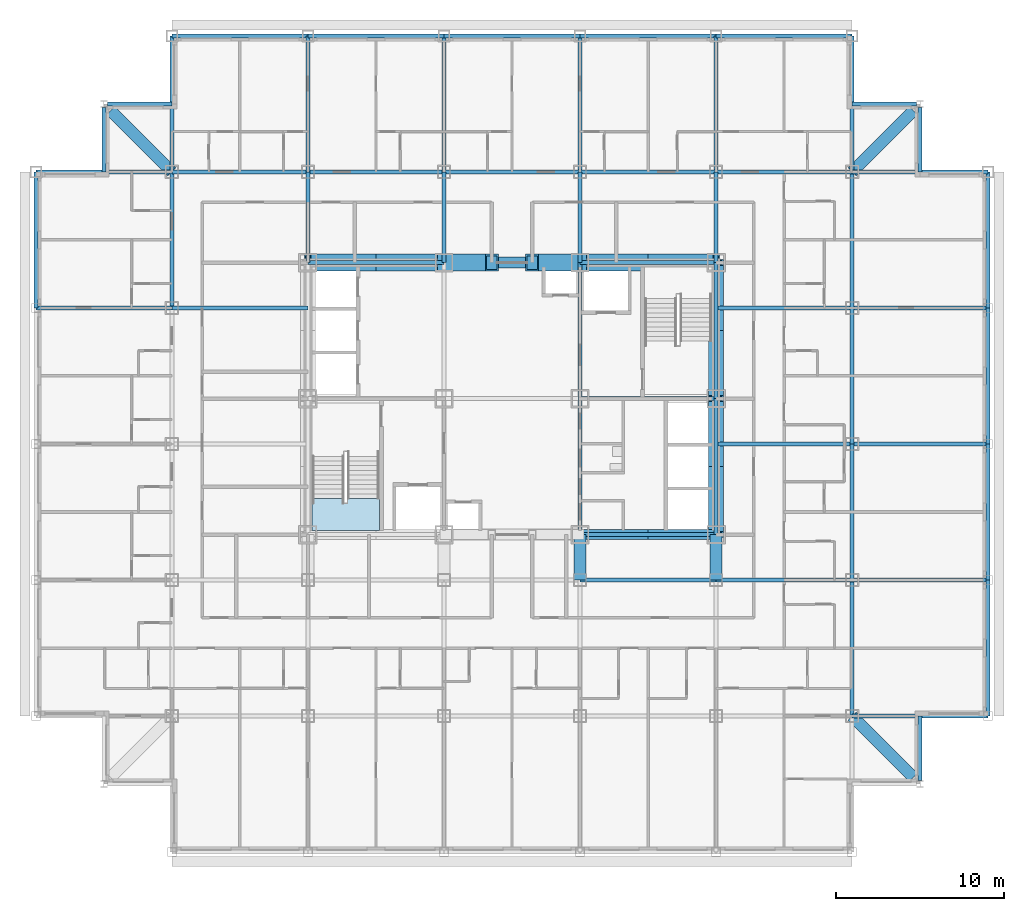
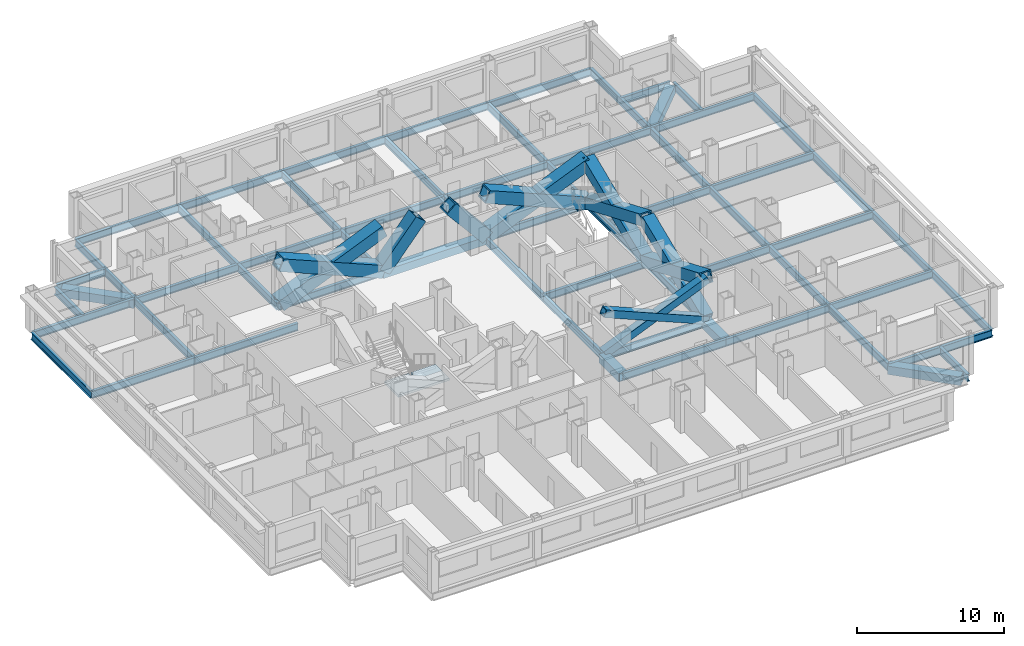
# One storey, part 2 of 15: 61 beams, 12 members, 1 slab, 1 element without a shape of its own.
"""IFC4 building model written with IfcOpenShell, lengths in metres."""

from ifc_helpers import new_model, si_unit, direction, frame, origin, origin_2d, place, context, subcontext, project, spatial, polyline, hollow_rectangle, i_section, outline, extrude, material, layer, layer_set, material_profile, profile_set, type_object, element, aggregate, save


model = new_model("IFC4")

# Units and contexts
model_context = context("Model", 3, precision=1e-05, world=origin(), true_north=direction((0.0, 1.0)))
body_context = subcontext(model_context, "Body", "Model", "MODEL_VIEW")
ifc_project = project(units=[si_unit("LENGTHUNIT", "METRE"), si_unit("AREAUNIT", "SQUARE_METRE"), si_unit("VOLUMEUNIT", "CUBIC_METRE"), si_unit("PLANEANGLEUNIT", "RADIAN"), si_unit("MASSUNIT", "GRAM", prefix="KILO")], contexts=[model_context])

# Site, building, storey
site_placement = place(None, origin())
site = spatial("IfcSite", under=ifc_project, at=site_placement, CompositionType="ELEMENT")
building_placement = place(site_placement, origin())
building = spatial("IfcBuilding", under=site, at=building_placement, Name="Kopane Lantern Tower", CompositionType="ELEMENT")
storey_placement = place(building_placement, frame((0.0, 0.0, 140.800048828125)))
storey = spatial("IfcBuildingStorey", under=building, at=storey_placement, Name="L36", CompositionType="ELEMENT", Elevation=140.800048828125)

# Members
ifc_material_1 = material(Name="Steel S355JR", Category="steel")
ifc_material_profile_1 = material_profile(ifc_material_1, hollow_rectangle(XDim=1.0, YDim=1.0, WallThickness=0.10009765625, at=origin_2d()), Name="BOX 1000x1000x100")
ifc_profile_set_1 = profile_set([ifc_material_profile_1], Name="Steel S355JR")
member_type_1 = type_object("IfcMemberType", Name="BRACE BOX 1000x1000x100", PredefinedType="BRACE", material=ifc_profile_set_1)
for number, where, z_axis, x_axis, name in (
    (1, (16.199951171875, 40.5, -0.2099609375), (0.922069000757, 0.0, 0.387025526088), (0.0, 1.0, 0.0), "Core brace L36"),
    (2, (24.300048828125, 40.5, -0.2099609375), (-0.922069000757, 0.0, 0.387025526088), (0.0, -1.0, 0.0), "Core brace L36"),
):
    element("IfcMember", number, at=place(storey_placement, frame(where, z_axis=z_axis, x_axis=x_axis)), inside=storey, type_object=member_type_1, Name=name, PredefinedType="BRACE", context=body_context, shape_type="SweptSolid", body=[
        extrude(hollow_rectangle(XDim=1.0, YDim=1.0, WallThickness=0.10009765625, at=origin_2d()), origin(), (0.0, 0.0, 1.0), 8.78466796875),
    ])
for number, where, z_axis, x_axis, name in (
    (3, (24.300048828125, 40.5, -0.2099609375), (0.642390257445, 0.0, 0.7663776857), (0.0, 1.0, 0.0), "Core brace L36"),
    (4, (32.39990234375, 40.5, -0.2099609375), (-0.642390257445, 0.0, 0.7663776857), (0.0, -1.0, 0.0), "Core brace L36"),
):
    element("IfcMember", number, at=place(storey_placement, frame(where, z_axis=z_axis, x_axis=x_axis)), inside=storey, type_object=member_type_1, Name=name, PredefinedType="BRACE", context=body_context, shape_type="SweptSolid", body=[
        extrude(hollow_rectangle(XDim=1.0, YDim=1.0, WallThickness=0.10009765625, at=origin_2d()), origin(), (0.0, 0.0, 1.0), 4.436279296875),
    ])
for number, where, z_axis, x_axis, name in (
    (5, (32.39990234375, 40.5, -0.2099609375), (0.922069000757, 0.0, 0.387025526088), (0.0, 1.0, 0.0), "Core brace L36"),
    (6, (40.5, 40.5, -0.2099609375), (-0.922069000757, 0.0, 0.387025526088), (0.0, -1.0, 0.0), "Core brace L36"),
):
    element("IfcMember", number, at=place(storey_placement, frame(where, z_axis=z_axis, x_axis=x_axis)), inside=storey, type_object=member_type_1, Name=name, PredefinedType="BRACE", context=body_context, shape_type="SweptSolid", body=[
        extrude(hollow_rectangle(XDim=1.0, YDim=1.0, WallThickness=0.10009765625, at=origin_2d()), origin(), (0.0, 0.0, 1.0), 8.78466796875),
    ])
ifc_material_2 = material(Name="Steel S355JR", Category="steel")
ifc_material_profile_2 = material_profile(ifc_material_2, hollow_rectangle(XDim=0.60009765625, YDim=0.60009765625, WallThickness=0.050048828125, at=origin_2d()), Name="BOX 600x600x50")
ifc_profile_set_2 = profile_set([ifc_material_profile_2], Name="Steel S355JR")
member_type_2 = type_object("IfcMemberType", Name="BRACE BOX 600x600x50", PredefinedType="BRACE", material=ifc_profile_set_2)
for number, where, z_axis, x_axis, name in (
    (7, (32.39990234375, 24.300048828125, -0.2099609375), (0.922069000757, 0.0, 0.387025526088), (0.0, 1.0, 0.0), "Core brace L36"),
    (8, (40.5, 24.300048828125, -0.2099609375), (-0.922069000757, 0.0, 0.387025526088), (0.0, -1.0, 0.0), "Core brace L36"),
):
    element("IfcMember", number, at=place(storey_placement, frame(where, z_axis=z_axis, x_axis=x_axis)), inside=storey, type_object=member_type_2, Name=name, PredefinedType="BRACE", context=body_context, shape_type="SweptSolid", body=[
        extrude(hollow_rectangle(XDim=0.60009765625, YDim=0.60009765625, WallThickness=0.050048828125, at=origin_2d()), origin(), (0.0, 0.0, 1.0), 8.78466796875),
    ])
ifc_material_3 = material(Name="Steel S355JR", Category="steel")
ifc_material_profile_3 = material_profile(ifc_material_3, hollow_rectangle(XDim=0.89990234375, YDim=0.89990234375, WallThickness=0.090087890625, at=origin_2d()), Name="BOX 900x900x90")
ifc_profile_set_3 = profile_set([ifc_material_profile_3], Name="Steel S355JR")
member_type_3 = type_object("IfcMemberType", Name="BRACE BOX 900x900x90", PredefinedType="BRACE", material=ifc_profile_set_3)
for number, where, z_axis, x_axis, name in (
    (9, (40.5, 24.300048828125, -0.2099609375), (0.0, 0.922064837731, 0.38703544414), (-1.0, 0.0, 0.0), "Core brace L36"),
    (10, (40.5, 32.39990234375, -0.2099609375), (0.0, -0.922064837731, 0.38703544414), (1.0, 0.0, 0.0), "Core brace L36"),
):
    element("IfcMember", number, at=place(storey_placement, frame(where, z_axis=z_axis, x_axis=x_axis)), inside=storey, type_object=member_type_3, Name=name, PredefinedType="BRACE", context=body_context, shape_type="SweptSolid", body=[
        extrude(hollow_rectangle(XDim=0.89990234375, YDim=0.89990234375, WallThickness=0.090087890625, at=origin_2d()), origin(), (0.0, 0.0, 1.0), 8.784423828125),
    ])
for number, where, z_axis, x_axis, name in (
    (11, (40.5, 32.39990234375, -0.2099609375), (0.0, 0.922069000757, 0.387025526088), (-1.0, 0.0, 0.0), "Core brace L36"),
    (12, (40.5, 40.5, -0.2099609375), (0.0, -0.922069000757, 0.387025526088), (1.0, 0.0, 0.0), "Core brace L36"),
):
    element("IfcMember", number, at=place(storey_placement, frame(where, z_axis=z_axis, x_axis=x_axis)), inside=storey, type_object=member_type_3, Name=name, PredefinedType="BRACE", context=body_context, shape_type="SweptSolid", body=[
        extrude(hollow_rectangle(XDim=0.89990234375, YDim=0.89990234375, WallThickness=0.090087890625, at=origin_2d()), origin(), (0.0, 0.0, 1.0), 8.78466796875),
    ])

# Beams
ifc_material_4 = material(Name="Steel S355JR", Category="steel")
ifc_material_profile_4 = material_profile(ifc_material_4, i_section(OverallWidth=0.22900390625, OverallDepth=0.6123046875, WebThickness=0.011962890625, FlangeThickness=0.01953125, FilletRadius=0.0126953125, at=origin_2d()), Name="UB 610x229x125")
ifc_profile_set_4 = profile_set([ifc_material_profile_4], Name="Steel S355JR")
beam_type_1 = type_object("IfcBeamType", Name="CORE BEAM UB 610x229x125", PredefinedType="BEAM", material=ifc_profile_set_4)
beam_1_placement = place(storey_placement, frame((32.39990234375, 24.300048828125, -0.51611328125), z_axis=(0.0, 1.0, 0.0), x_axis=(-1.0, 0.0, 0.0)))
element("IfcBeam", 13, at=beam_1_placement, inside=storey, type_object=beam_type_1, Name="Core Beam L36", PredefinedType="BEAM", context=body_context, shape_type="SweptSolid", body=[
    extrude(i_section(OverallWidth=0.22900390625, OverallDepth=0.6123046875, WebThickness=0.011962890625, FlangeThickness=0.01953125, FilletRadius=0.0126953125, at=origin_2d()), origin(), (0.0, 0.0, 1.0), 8.099853515625),
])
for number, where, z_axis, x_axis, name in (
    (14, (32.39990234375, 32.39990234375, -0.51611328125), (0.0, 1.0, 0.0), (-1.0, 0.0, 0.0), "Core Beam L36"),
    (15, (32.39990234375, 32.39990234375, -0.51611328125), (1.0, 0.0, 0.0), (0.0, 1.0, 0.0), "Core Beam L36"),
):
    element("IfcBeam", number, at=place(storey_placement, frame(where, z_axis=z_axis, x_axis=x_axis)), inside=storey, type_object=beam_type_1, Name=name, PredefinedType="BEAM", context=body_context, shape_type="SweptSolid", body=[
        extrude(i_section(OverallWidth=0.22900390625, OverallDepth=0.6123046875, WebThickness=0.011962890625, FlangeThickness=0.01953125, FilletRadius=0.0126953125, at=origin_2d()), origin(), (0.0, 0.0, 1.0), 8.10009765625),
    ])
ifc_material_5 = material(Name="Steel S355JR", Category="steel")
ifc_material_profile_5 = material_profile(ifc_material_5, hollow_rectangle(XDim=0.699951171875, YDim=0.699951171875, WallThickness=0.06005859375, at=origin_2d()), Name="BOX 700x700x60")
ifc_profile_set_5 = profile_set([ifc_material_profile_5], Name="Steel S355JR")
beam_type_2 = type_object("IfcBeamType", Name="CORNER TIE BEAM BOX 700x700x60", PredefinedType="BEAM", material=ifc_profile_set_5)
beam_2_placement = place(storey_placement, frame((4.447509765625, 49.552490234375, -0.56005859375), z_axis=(0.707106781187, -0.707106781187, 0.0), x_axis=(0.707106781187, 0.707106781187, 0.0)))
element("IfcBeam", 16, at=beam_2_placement, inside=storey, type_object=beam_type_2, Name="Corner Tie Beam L36", PredefinedType="BEAM", context=body_context, shape_type="SweptSolid", body=[
    extrude(hollow_rectangle(XDim=0.699951171875, YDim=0.699951171875, WallThickness=0.06005859375, at=origin_2d()), origin(), (0.0, 0.0, 1.0), 5.16552734375),
])
for number, where, z_axis, x_axis, name in (
    (17, (52.25244140625, 9.847412109375, -0.56005859375), (-0.707083148333, 0.70713041325, 0.0), (-0.70713041325, -0.707083148333, 0.0), "Corner Tie Beam L36"),
    (18, (52.25244140625, 49.552490234375, -0.56005859375), (-0.707083148333, -0.70713041325, 0.0), (0.70713041325, -0.707083148333, 0.0), "Corner Tie Beam L36"),
):
    element("IfcBeam", number, at=place(storey_placement, frame(where, z_axis=z_axis, x_axis=x_axis)), inside=storey, type_object=beam_type_2, Name=name, PredefinedType="BEAM", context=body_context, shape_type="SweptSolid", body=[
        extrude(hollow_rectangle(XDim=0.699951171875, YDim=0.699951171875, WallThickness=0.06005859375, at=origin_2d()), origin(), (0.0, 0.0, 1.0), 5.165283203125),
    ])
ifc_material_6 = material(Name="Steel S355JR", Category="steel")
ifc_material_profile_6 = material_profile(ifc_material_6, i_section(OverallWidth=0.22900390625, OverallDepth=0.6123046875, WebThickness=0.011962890625, FlangeThickness=0.01953125, FilletRadius=0.0126953125, at=origin_2d()), Name="UB 610x229x125")
ifc_profile_set_6 = profile_set([ifc_material_profile_6], Name="Steel S355JR")
beam_type_3 = type_object("IfcBeamType", Name="EDGE BEAM UB 610x229x125", PredefinedType="BEAM", material=ifc_profile_set_6)
for number, where, z_axis, x_axis, name in (
    (19, (4.050048828125, 49.74658203125, -0.51611328125), (0.0, -1.0, 0.0), (1.0, 0.0, 0.0), "Edge Beam L36"),
    (20, (4.25341796875, 49.949951171875, -0.51611328125), (1.0, 0.0, 0.0), (0.0, 1.0, 0.0), "Edge Beam L36"),
):
    element("IfcBeam", number, at=place(storey_placement, frame(where, z_axis=z_axis, x_axis=x_axis)), inside=storey, type_object=beam_type_3, Name=name, PredefinedType="BEAM", context=body_context, shape_type="SweptSolid", body=[
        extrude(i_section(OverallWidth=0.22900390625, OverallDepth=0.6123046875, WebThickness=0.011962890625, FlangeThickness=0.01953125, FilletRadius=0.0126953125, at=origin_2d()), origin(), (0.0, 0.0, 1.0), 3.8466796875),
    ])
for number, where, z_axis, x_axis, name in (
    (21, (52.446533203125, 49.949951171875, -0.51611328125), (-1.0, 0.0, 0.0), (0.0, -1.0, 0.0), "Edge Beam L36"),
    (22, (52.64990234375, 9.653564453125, -0.51611328125), (0.0, 1.0, 0.0), (-1.0, 0.0, 0.0), "Edge Beam L36"),
):
    element("IfcBeam", number, at=place(storey_placement, frame(where, z_axis=z_axis, x_axis=x_axis)), inside=storey, type_object=beam_type_3, Name=name, PredefinedType="BEAM", context=body_context, shape_type="SweptSolid", body=[
        extrude(i_section(OverallWidth=0.22900390625, OverallDepth=0.6123046875, WebThickness=0.011962890625, FlangeThickness=0.01953125, FilletRadius=0.0126953125, at=origin_2d()), origin(), (0.0, 0.0, 1.0), 3.846435546875),
    ])
beam_3_placement = place(storey_placement, frame((52.64990234375, 49.74658203125, -0.51611328125), z_axis=(0.0, -1.0, 0.0), x_axis=(1.0, 0.0, 0.0)))
element("IfcBeam", 23, at=beam_3_placement, inside=storey, type_object=beam_type_3, Name="Edge Beam L36", PredefinedType="BEAM", context=body_context, shape_type="SweptSolid", body=[
    extrude(i_section(OverallWidth=0.22900390625, OverallDepth=0.6123046875, WebThickness=0.011962890625, FlangeThickness=0.01953125, FilletRadius=0.0126953125, at=origin_2d()), origin(), (0.0, 0.0, 1.0), 3.8466796875),
])
ifc_material_7 = material(Name="Steel S355JR", Category="steel")
ifc_material_profile_7 = material_profile(ifc_material_7, hollow_rectangle(XDim=0.699951171875, YDim=0.699951171875, WallThickness=0.06005859375, at=origin_2d()), Name="BOX 700x700x60")
ifc_profile_set_7 = profile_set([ifc_material_profile_7], Name="Steel S355JR")
beam_type_4 = type_object("IfcBeamType", Name="GIRDER BOX 700x700x60", PredefinedType="BEAM", material=ifc_profile_set_7)
for number, where, z_axis, x_axis, name in (
    (24, (32.39990234375, 21.60009765625, -0.56005859375), (0.0, 1.0, 0.0), (-1.0, 0.0, 0.0), "Girder L36"),
    (25, (40.5, 21.60009765625, -0.56005859375), (0.0, 1.0, 0.0), (-1.0, 0.0, 0.0), "Girder L36"),
):
    element("IfcBeam", number, at=place(storey_placement, frame(where, z_axis=z_axis, x_axis=x_axis)), inside=storey, type_object=beam_type_4, Name=name, PredefinedType="BEAM", context=body_context, shape_type="SweptSolid", body=[
        extrude(hollow_rectangle(XDim=0.699951171875, YDim=0.699951171875, WallThickness=0.06005859375, at=origin_2d()), origin(), (0.0, 0.0, 1.0), 2.699951171875),
    ])
ifc_material_8 = material(Name="Steel S355JR", Category="steel")
ifc_material_profile_8 = material_profile(ifc_material_8, i_section(OverallWidth=0.22900390625, OverallDepth=0.6123046875, WebThickness=0.011962890625, FlangeThickness=0.01953125, FilletRadius=0.0126953125, at=origin_2d()), Name="UB 610x229x125")
ifc_profile_set_8 = profile_set([ifc_material_profile_8], Name="Steel S355JR")
beam_type_5 = type_object("IfcBeamType", Name="GIRDER UB 610x229x125", PredefinedType="BEAM", material=ifc_profile_set_8)
beam_4_placement = place(storey_placement, frame((0.0, 37.800048828125, -0.51611328125), z_axis=(0.0, 1.0, 0.0), x_axis=(-1.0, 0.0, 0.0)))
element("IfcBeam", 26, at=beam_4_placement, inside=storey, type_object=beam_type_5, Name="Girder L36", PredefinedType="BEAM", context=body_context, shape_type="SweptSolid", body=[
    extrude(i_section(OverallWidth=0.22900390625, OverallDepth=0.6123046875, WebThickness=0.011962890625, FlangeThickness=0.01953125, FilletRadius=0.0126953125, at=origin_2d()), origin(), (0.0, 0.0, 1.0), 8.099853515625),
])
for number, where, z_axis, x_axis, name in (
    (27, (0.0, 37.800048828125, -0.51611328125), (1.0, 0.0, 0.0), (0.0, 1.0, 0.0), "Girder L36"),
    (28, (0.0, 45.89990234375, -0.51611328125), (1.0, 0.0, 0.0), (0.0, 1.0, 0.0), "Girder L36"),
):
    element("IfcBeam", number, at=place(storey_placement, frame(where, z_axis=z_axis, x_axis=x_axis)), inside=storey, type_object=beam_type_5, Name=name, PredefinedType="BEAM", context=body_context, shape_type="SweptSolid", body=[
        extrude(i_section(OverallWidth=0.22900390625, OverallDepth=0.6123046875, WebThickness=0.011962890625, FlangeThickness=0.01953125, FilletRadius=0.0126953125, at=origin_2d()), origin(), (0.0, 0.0, 1.0), 8.10009765625),
    ])
for number, where, z_axis, x_axis, name in (
    (29, (8.10009765625, 37.800048828125, -0.51611328125), (0.0, 1.0, 0.0), (-1.0, 0.0, 0.0), "Girder L36"),
    (30, (8.10009765625, 37.800048828125, -0.51611328125), (1.0, 0.0, 0.0), (0.0, 1.0, 0.0), "Girder L36"),
):
    element("IfcBeam", number, at=place(storey_placement, frame(where, z_axis=z_axis, x_axis=x_axis)), inside=storey, type_object=beam_type_5, Name=name, PredefinedType="BEAM", context=body_context, shape_type="SweptSolid", body=[
        extrude(i_section(OverallWidth=0.22900390625, OverallDepth=0.6123046875, WebThickness=0.011962890625, FlangeThickness=0.01953125, FilletRadius=0.0126953125, at=origin_2d()), origin(), (0.0, 0.0, 1.0), 8.099853515625),
    ])
beam_5_placement = place(storey_placement, frame((8.10009765625, 45.89990234375, -0.51611328125), z_axis=(0.0, 1.0, 0.0), x_axis=(-1.0, 0.0, 0.0)))
element("IfcBeam", 31, at=beam_5_placement, inside=storey, type_object=beam_type_5, Name="Girder L36", PredefinedType="BEAM", context=body_context, shape_type="SweptSolid", body=[
    extrude(i_section(OverallWidth=0.22900390625, OverallDepth=0.6123046875, WebThickness=0.011962890625, FlangeThickness=0.01953125, FilletRadius=0.0126953125, at=origin_2d()), origin(), (0.0, 0.0, 1.0), 8.10009765625),
])
for number, where, z_axis, x_axis, name in (
    (32, (8.10009765625, 45.89990234375, -0.51611328125), (1.0, 0.0, 0.0), (0.0, 1.0, 0.0), "Girder L36"),
    (33, (8.10009765625, 54.0, -0.51611328125), (1.0, 0.0, 0.0), (0.0, 1.0, 0.0), "Girder L36"),
):
    element("IfcBeam", number, at=place(storey_placement, frame(where, z_axis=z_axis, x_axis=x_axis)), inside=storey, type_object=beam_type_5, Name=name, PredefinedType="BEAM", context=body_context, shape_type="SweptSolid", body=[
        extrude(i_section(OverallWidth=0.22900390625, OverallDepth=0.6123046875, WebThickness=0.011962890625, FlangeThickness=0.01953125, FilletRadius=0.0126953125, at=origin_2d()), origin(), (0.0, 0.0, 1.0), 8.099853515625),
    ])
beam_6_placement = place(storey_placement, frame((16.199951171875, 40.5, -0.51611328125), z_axis=(0.0, 1.0, 0.0), x_axis=(-1.0, 0.0, 0.0)))
element("IfcBeam", 34, at=beam_6_placement, inside=storey, type_object=beam_type_5, Name="Girder L36", PredefinedType="BEAM", context=body_context, shape_type="SweptSolid", body=[
    extrude(i_section(OverallWidth=0.22900390625, OverallDepth=0.6123046875, WebThickness=0.011962890625, FlangeThickness=0.01953125, FilletRadius=0.0126953125, at=origin_2d()), origin(), (0.0, 0.0, 1.0), 5.39990234375),
])
for number, where, z_axis, x_axis, name in (
    (35, (16.199951171875, 40.5, -0.51611328125), (1.0, 0.0, 0.0), (0.0, 1.0, 0.0), "Girder L36"),
    (36, (16.199951171875, 45.89990234375, -0.51611328125), (0.0, 1.0, 0.0), (-1.0, 0.0, 0.0), "Girder L36"),
    (37, (16.199951171875, 45.89990234375, -0.51611328125), (1.0, 0.0, 0.0), (0.0, 1.0, 0.0), "Girder L36"),
    (38, (16.199951171875, 54.0, -0.51611328125), (1.0, 0.0, 0.0), (0.0, 1.0, 0.0), "Girder L36"),
):
    element("IfcBeam", number, at=place(storey_placement, frame(where, z_axis=z_axis, x_axis=x_axis)), inside=storey, type_object=beam_type_5, Name=name, PredefinedType="BEAM", context=body_context, shape_type="SweptSolid", body=[
        extrude(i_section(OverallWidth=0.22900390625, OverallDepth=0.6123046875, WebThickness=0.011962890625, FlangeThickness=0.01953125, FilletRadius=0.0126953125, at=origin_2d()), origin(), (0.0, 0.0, 1.0), 8.10009765625),
    ])
beam_7_placement = place(storey_placement, frame((24.300048828125, 40.5, -0.51611328125), z_axis=(0.0, 1.0, 0.0), x_axis=(-1.0, 0.0, 0.0)))
element("IfcBeam", 39, at=beam_7_placement, inside=storey, type_object=beam_type_5, Name="Girder L36", PredefinedType="BEAM", context=body_context, shape_type="SweptSolid", body=[
    extrude(i_section(OverallWidth=0.22900390625, OverallDepth=0.6123046875, WebThickness=0.011962890625, FlangeThickness=0.01953125, FilletRadius=0.0126953125, at=origin_2d()), origin(), (0.0, 0.0, 1.0), 5.39990234375),
])
beam_8_placement = place(storey_placement, frame((24.300048828125, 45.89990234375, -0.51611328125), z_axis=(0.0, 1.0, 0.0), x_axis=(-1.0, 0.0, 0.0)))
element("IfcBeam", 40, at=beam_8_placement, inside=storey, type_object=beam_type_5, Name="Girder L36", PredefinedType="BEAM", context=body_context, shape_type="SweptSolid", body=[
    extrude(i_section(OverallWidth=0.22900390625, OverallDepth=0.6123046875, WebThickness=0.011962890625, FlangeThickness=0.01953125, FilletRadius=0.0126953125, at=origin_2d()), origin(), (0.0, 0.0, 1.0), 8.10009765625),
])
for number, where, z_axis, x_axis, name in (
    (41, (24.300048828125, 45.89990234375, -0.51611328125), (1.0, 0.0, 0.0), (0.0, 1.0, 0.0), "Girder L36"),
    (42, (24.300048828125, 54.0, -0.51611328125), (1.0, 0.0, 0.0), (0.0, 1.0, 0.0), "Girder L36"),
):
    element("IfcBeam", number, at=place(storey_placement, frame(where, z_axis=z_axis, x_axis=x_axis)), inside=storey, type_object=beam_type_5, Name=name, PredefinedType="BEAM", context=body_context, shape_type="SweptSolid", body=[
        extrude(i_section(OverallWidth=0.22900390625, OverallDepth=0.6123046875, WebThickness=0.011962890625, FlangeThickness=0.01953125, FilletRadius=0.0126953125, at=origin_2d()), origin(), (0.0, 0.0, 1.0), 8.099853515625),
    ])
for number, where, z_axis, x_axis, name in (
    (43, (32.39990234375, 21.60009765625, -0.51611328125), (1.0, 0.0, 0.0), (0.0, 1.0, 0.0), "Girder L36"),
    (44, (32.39990234375, 24.300048828125, -0.51611328125), (1.0, 0.0, 0.0), (0.0, 1.0, 0.0), "Girder L36"),
):
    element("IfcBeam", number, at=place(storey_placement, frame(where, z_axis=z_axis, x_axis=x_axis)), inside=storey, type_object=beam_type_5, Name=name, PredefinedType="BEAM", context=body_context, shape_type="SweptSolid", body=[
        extrude(i_section(OverallWidth=0.22900390625, OverallDepth=0.6123046875, WebThickness=0.011962890625, FlangeThickness=0.01953125, FilletRadius=0.0126953125, at=origin_2d()), origin(), (0.0, 0.0, 1.0), 8.10009765625),
    ])
beam_9_placement = place(storey_placement, frame((32.39990234375, 40.5, -0.51611328125), z_axis=(0.0, 1.0, 0.0), x_axis=(-1.0, 0.0, 0.0)))
element("IfcBeam", 45, at=beam_9_placement, inside=storey, type_object=beam_type_5, Name="Girder L36", PredefinedType="BEAM", context=body_context, shape_type="SweptSolid", body=[
    extrude(i_section(OverallWidth=0.22900390625, OverallDepth=0.6123046875, WebThickness=0.011962890625, FlangeThickness=0.01953125, FilletRadius=0.0126953125, at=origin_2d()), origin(), (0.0, 0.0, 1.0), 5.39990234375),
])
for number, where, z_axis, x_axis, name in (
    (46, (32.39990234375, 40.5, -0.51611328125), (1.0, 0.0, 0.0), (0.0, 1.0, 0.0), "Girder L36"),
    (47, (32.39990234375, 45.89990234375, -0.51611328125), (0.0, 1.0, 0.0), (-1.0, 0.0, 0.0), "Girder L36"),
    (48, (32.39990234375, 45.89990234375, -0.51611328125), (1.0, 0.0, 0.0), (0.0, 1.0, 0.0), "Girder L36"),
    (49, (32.39990234375, 54.0, -0.51611328125), (1.0, 0.0, 0.0), (0.0, 1.0, 0.0), "Girder L36"),
    (50, (40.5, 21.60009765625, -0.51611328125), (1.0, 0.0, 0.0), (0.0, 1.0, 0.0), "Girder L36"),
):
    element("IfcBeam", number, at=place(storey_placement, frame(where, z_axis=z_axis, x_axis=x_axis)), inside=storey, type_object=beam_type_5, Name=name, PredefinedType="BEAM", context=body_context, shape_type="SweptSolid", body=[
        extrude(i_section(OverallWidth=0.22900390625, OverallDepth=0.6123046875, WebThickness=0.011962890625, FlangeThickness=0.01953125, FilletRadius=0.0126953125, at=origin_2d()), origin(), (0.0, 0.0, 1.0), 8.10009765625),
    ])
beam_10_placement = place(storey_placement, frame((40.5, 24.300048828125, -0.51611328125), z_axis=(0.0, 1.0, 0.0), x_axis=(-1.0, 0.0, 0.0)))
element("IfcBeam", 51, at=beam_10_placement, inside=storey, type_object=beam_type_5, Name="Girder L36", PredefinedType="BEAM", context=body_context, shape_type="SweptSolid", body=[
    extrude(i_section(OverallWidth=0.22900390625, OverallDepth=0.6123046875, WebThickness=0.011962890625, FlangeThickness=0.01953125, FilletRadius=0.0126953125, at=origin_2d()), origin(), (0.0, 0.0, 1.0), 8.099853515625),
])
for number, where, z_axis, x_axis, name in (
    (52, (40.5, 29.699951171875, -0.51611328125), (1.0, 0.0, 0.0), (0.0, 1.0, 0.0), "Girder L36"),
    (53, (40.5, 32.39990234375, -0.51611328125), (0.0, 1.0, 0.0), (-1.0, 0.0, 0.0), "Girder L36"),
    (54, (40.5, 37.800048828125, -0.51611328125), (1.0, 0.0, 0.0), (0.0, 1.0, 0.0), "Girder L36"),
):
    element("IfcBeam", number, at=place(storey_placement, frame(where, z_axis=z_axis, x_axis=x_axis)), inside=storey, type_object=beam_type_5, Name=name, PredefinedType="BEAM", context=body_context, shape_type="SweptSolid", body=[
        extrude(i_section(OverallWidth=0.22900390625, OverallDepth=0.6123046875, WebThickness=0.011962890625, FlangeThickness=0.01953125, FilletRadius=0.0126953125, at=origin_2d()), origin(), (0.0, 0.0, 1.0), 8.10009765625),
    ])
beam_11_placement = place(storey_placement, frame((40.5, 40.5, -0.51611328125), z_axis=(0.0, 1.0, 0.0), x_axis=(-1.0, 0.0, 0.0)))
element("IfcBeam", 55, at=beam_11_placement, inside=storey, type_object=beam_type_5, Name="Girder L36", PredefinedType="BEAM", context=body_context, shape_type="SweptSolid", body=[
    extrude(i_section(OverallWidth=0.22900390625, OverallDepth=0.6123046875, WebThickness=0.011962890625, FlangeThickness=0.01953125, FilletRadius=0.0126953125, at=origin_2d()), origin(), (0.0, 0.0, 1.0), 5.39990234375),
])
for number, where, z_axis, x_axis, name in (
    (56, (40.5, 45.89990234375, -0.51611328125), (0.0, 1.0, 0.0), (-1.0, 0.0, 0.0), "Girder L36"),
    (57, (40.5, 45.89990234375, -0.51611328125), (1.0, 0.0, 0.0), (0.0, 1.0, 0.0), "Girder L36"),
    (58, (40.5, 54.0, -0.51611328125), (1.0, 0.0, 0.0), (0.0, 1.0, 0.0), "Girder L36"),
    (59, (48.60009765625, 13.5, -0.51611328125), (0.0, 1.0, 0.0), (-1.0, 0.0, 0.0), "Girder L36"),
):
    element("IfcBeam", number, at=place(storey_placement, frame(where, z_axis=z_axis, x_axis=x_axis)), inside=storey, type_object=beam_type_5, Name=name, PredefinedType="BEAM", context=body_context, shape_type="SweptSolid", body=[
        extrude(i_section(OverallWidth=0.22900390625, OverallDepth=0.6123046875, WebThickness=0.011962890625, FlangeThickness=0.01953125, FilletRadius=0.0126953125, at=origin_2d()), origin(), (0.0, 0.0, 1.0), 8.10009765625),
    ])
for number, where, z_axis, x_axis, name in (
    (60, (48.60009765625, 13.5, -0.51611328125), (1.0, 0.0, 0.0), (0.0, 1.0, 0.0), "Girder L36"),
    (61, (48.60009765625, 21.60009765625, -0.51611328125), (0.0, 1.0, 0.0), (-1.0, 0.0, 0.0), "Girder L36"),
    (62, (48.60009765625, 21.60009765625, -0.51611328125), (1.0, 0.0, 0.0), (0.0, 1.0, 0.0), "Girder L36"),
):
    element("IfcBeam", number, at=place(storey_placement, frame(where, z_axis=z_axis, x_axis=x_axis)), inside=storey, type_object=beam_type_5, Name=name, PredefinedType="BEAM", context=body_context, shape_type="SweptSolid", body=[
        extrude(i_section(OverallWidth=0.22900390625, OverallDepth=0.6123046875, WebThickness=0.011962890625, FlangeThickness=0.01953125, FilletRadius=0.0126953125, at=origin_2d()), origin(), (0.0, 0.0, 1.0), 8.099853515625),
    ])
beam_12_placement = place(storey_placement, frame((48.60009765625, 29.699951171875, -0.51611328125), z_axis=(0.0, 1.0, 0.0), x_axis=(-1.0, 0.0, 0.0)))
element("IfcBeam", 63, at=beam_12_placement, inside=storey, type_object=beam_type_5, Name="Girder L36", PredefinedType="BEAM", context=body_context, shape_type="SweptSolid", body=[
    extrude(i_section(OverallWidth=0.22900390625, OverallDepth=0.6123046875, WebThickness=0.011962890625, FlangeThickness=0.01953125, FilletRadius=0.0126953125, at=origin_2d()), origin(), (0.0, 0.0, 1.0), 8.10009765625),
])
for number, where, z_axis, x_axis, name in (
    (64, (48.60009765625, 29.699951171875, -0.51611328125), (1.0, 0.0, 0.0), (0.0, 1.0, 0.0), "Girder L36"),
    (65, (48.60009765625, 37.800048828125, -0.51611328125), (0.0, 1.0, 0.0), (-1.0, 0.0, 0.0), "Girder L36"),
    (66, (48.60009765625, 37.800048828125, -0.51611328125), (1.0, 0.0, 0.0), (0.0, 1.0, 0.0), "Girder L36"),
):
    element("IfcBeam", number, at=place(storey_placement, frame(where, z_axis=z_axis, x_axis=x_axis)), inside=storey, type_object=beam_type_5, Name=name, PredefinedType="BEAM", context=body_context, shape_type="SweptSolid", body=[
        extrude(i_section(OverallWidth=0.22900390625, OverallDepth=0.6123046875, WebThickness=0.011962890625, FlangeThickness=0.01953125, FilletRadius=0.0126953125, at=origin_2d()), origin(), (0.0, 0.0, 1.0), 8.099853515625),
    ])
beam_13_placement = place(storey_placement, frame((48.60009765625, 45.89990234375, -0.51611328125), z_axis=(0.0, 1.0, 0.0), x_axis=(-1.0, 0.0, 0.0)))
element("IfcBeam", 67, at=beam_13_placement, inside=storey, type_object=beam_type_5, Name="Girder L36", PredefinedType="BEAM", context=body_context, shape_type="SweptSolid", body=[
    extrude(i_section(OverallWidth=0.22900390625, OverallDepth=0.6123046875, WebThickness=0.011962890625, FlangeThickness=0.01953125, FilletRadius=0.0126953125, at=origin_2d()), origin(), (0.0, 0.0, 1.0), 8.10009765625),
])
beam_14_placement = place(storey_placement, frame((48.60009765625, 45.89990234375, -0.51611328125), z_axis=(1.0, 0.0, 0.0), x_axis=(0.0, 1.0, 0.0)))
element("IfcBeam", 68, at=beam_14_placement, inside=storey, type_object=beam_type_5, Name="Girder L36", PredefinedType="BEAM", context=body_context, shape_type="SweptSolid", body=[
    extrude(i_section(OverallWidth=0.22900390625, OverallDepth=0.6123046875, WebThickness=0.011962890625, FlangeThickness=0.01953125, FilletRadius=0.0126953125, at=origin_2d()), origin(), (0.0, 0.0, 1.0), 8.099853515625),
])
beam_15_placement = place(storey_placement, frame((56.699951171875, 13.5, -0.51611328125), z_axis=(0.0, 1.0, 0.0), x_axis=(-1.0, 0.0, 0.0)))
element("IfcBeam", 69, at=beam_15_placement, inside=storey, type_object=beam_type_5, Name="Girder L36", PredefinedType="BEAM", context=body_context, shape_type="SweptSolid", body=[
    extrude(i_section(OverallWidth=0.22900390625, OverallDepth=0.6123046875, WebThickness=0.011962890625, FlangeThickness=0.01953125, FilletRadius=0.0126953125, at=origin_2d()), origin(), (0.0, 0.0, 1.0), 8.10009765625),
])
beam_16_placement = place(storey_placement, frame((56.699951171875, 21.60009765625, -0.51611328125), z_axis=(0.0, 1.0, 0.0), x_axis=(-1.0, 0.0, 0.0)))
element("IfcBeam", 70, at=beam_16_placement, inside=storey, type_object=beam_type_5, Name="Girder L36", PredefinedType="BEAM", context=body_context, shape_type="SweptSolid", body=[
    extrude(i_section(OverallWidth=0.22900390625, OverallDepth=0.6123046875, WebThickness=0.011962890625, FlangeThickness=0.01953125, FilletRadius=0.0126953125, at=origin_2d()), origin(), (0.0, 0.0, 1.0), 8.099853515625),
])
beam_17_placement = place(storey_placement, frame((56.699951171875, 29.699951171875, -0.51611328125), z_axis=(0.0, 1.0, 0.0), x_axis=(-1.0, 0.0, 0.0)))
element("IfcBeam", 71, at=beam_17_placement, inside=storey, type_object=beam_type_5, Name="Girder L36", PredefinedType="BEAM", context=body_context, shape_type="SweptSolid", body=[
    extrude(i_section(OverallWidth=0.22900390625, OverallDepth=0.6123046875, WebThickness=0.011962890625, FlangeThickness=0.01953125, FilletRadius=0.0126953125, at=origin_2d()), origin(), (0.0, 0.0, 1.0), 8.10009765625),
])
beam_18_placement = place(storey_placement, frame((56.699951171875, 37.800048828125, -0.51611328125), z_axis=(0.0, 1.0, 0.0), x_axis=(-1.0, 0.0, 0.0)))
element("IfcBeam", 72, at=beam_18_placement, inside=storey, type_object=beam_type_5, Name="Girder L36", PredefinedType="BEAM", context=body_context, shape_type="SweptSolid", body=[
    extrude(i_section(OverallWidth=0.22900390625, OverallDepth=0.6123046875, WebThickness=0.011962890625, FlangeThickness=0.01953125, FilletRadius=0.0126953125, at=origin_2d()), origin(), (0.0, 0.0, 1.0), 8.099853515625),
])
ifc_material_9 = material(Name="Steel S355JR", Category="steel")
ifc_material_profile_9 = material_profile(ifc_material_9, hollow_rectangle(XDim=0.64990234375, YDim=0.64990234375, WallThickness=0.070068359375, at=origin_2d()), Name="BOX 650x650x70")
ifc_profile_set_9 = profile_set([ifc_material_profile_9], Name="Steel S355JR")
beam_type_6 = type_object("IfcBeamType", Name="LINK BEAM BOX 650x650x70", PredefinedType="BEAM", material=ifc_profile_set_9)
beam_19_placement = place(storey_placement, frame((24.300048828125, 40.5, -0.53515625), z_axis=(1.0, 0.0, 0.0), x_axis=(0.0, 1.0, 0.0)))
element("IfcBeam", 73, at=beam_19_placement, inside=storey, type_object=beam_type_6, Name="Link Beam L36", PredefinedType="BEAM", context=body_context, shape_type="SweptSolid", body=[
    extrude(hollow_rectangle(XDim=0.64990234375, YDim=0.64990234375, WallThickness=0.070068359375, at=origin_2d()), origin(), (0.0, 0.0, 1.0), 8.099853515625),
])

# Stair, slab
ifc_material_10 = material(Name="Steel S355JR", Category="steel")
stair_type = type_object("IfcStairType", Name="EXIT STAIR 1900 HALF TURN", PredefinedType="HALF_TURN_STAIR", material=ifc_material_10)
stair_placement = place(storey_placement, origin())
stair = element("IfcStair", 74, at=stair_placement, inside=storey, type_object=stair_type, Name="Exit stair ST1 L36", PredefinedType="HALF_TURN_STAIR")
ifc_material_11 = material(Name="Concrete C40/50", Category="concrete")
ifc_layer = layer(ifc_material_11, 0.199951171875)
ifc_layer_set = layer_set([ifc_layer], Name="STAIR LANDING 200")
slab_type = type_object("IfcSlabType", Name="STAIR LANDING 200", PredefinedType="LANDING", material=ifc_layer_set)
slab_placement = place(storey_placement, frame((0.0, 0.0, 1.5)))
slab = element("IfcSlab", 75, at=slab_placement, type_object=slab_type, Name="ST1 landing 2", PredefinedType="LANDING", context=body_context, shape_type="SweptSolid", body=[
    extrude(outline(polyline([(20.449951171875, 26.449951171875), (18.550048828125, 26.449951171875), (18.550048828125, 26.169921875), (18.35009765625, 26.169921875), (18.35009765625, 26.449951171875), (16.449951171875, 26.449951171875), (16.449951171875, 24.550048828125), (20.449951171875, 24.550048828125), (20.449951171875, 26.449951171875)])), origin(), (0.0, 0.0, 1.0), 0.199951171875),
])
aggregate(stair, [slab])

save(model, "model.ifc")
